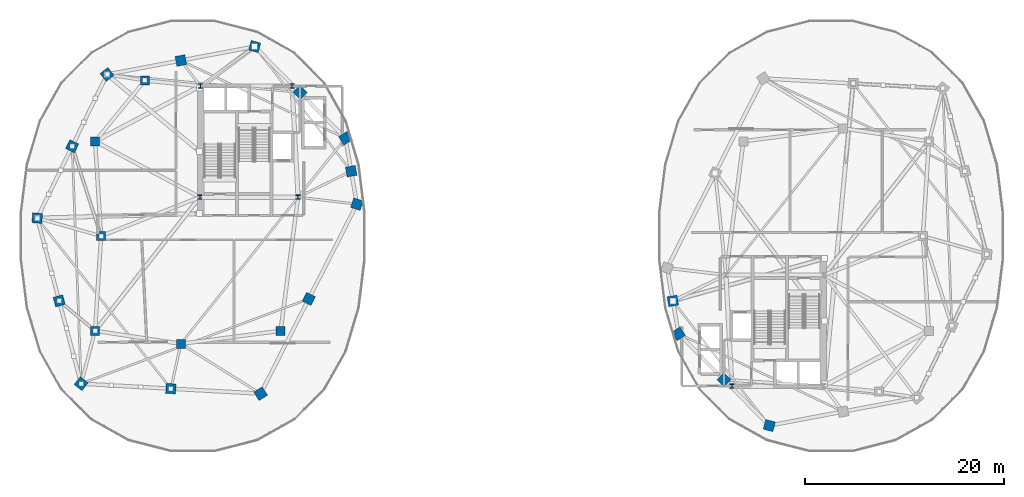
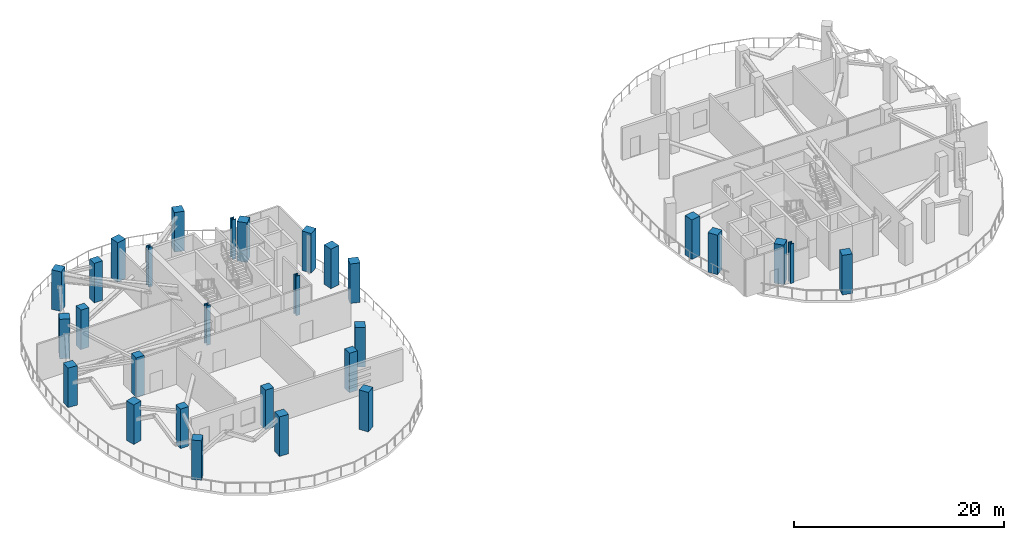
# One storey, part 1 of 14: 29 columns.
"""IFC4 building model written with IfcOpenShell, lengths in metres."""

from ifc_helpers import new_model, si_unit, direction, frame, origin, origin_2d, place, context, subcontext, project, spatial, rectangle, i_section, extrude, material, material_profile, profile_set, type_object, element, save


model = new_model("IFC4")

# Units and contexts
model_context = context("Model", 3, precision=1e-05, world=origin(), true_north=direction((0.0, 1.0)))
body_context = subcontext(model_context, "Body", "Model", "MODEL_VIEW")
ifc_project = project(units=[si_unit("LENGTHUNIT", "METRE"), si_unit("AREAUNIT", "SQUARE_METRE"), si_unit("VOLUMEUNIT", "CUBIC_METRE"), si_unit("PLANEANGLEUNIT", "RADIAN"), si_unit("MASSUNIT", "GRAM", prefix="KILO"), si_unit("THERMODYNAMICTEMPERATUREUNIT", "KELVIN"), si_unit("POWERUNIT", "WATT")], contexts=[model_context])

# Site, building, storey
site_placement = place(None, origin())
site = spatial("IfcSite", under=ifc_project, at=site_placement, CompositionType="ELEMENT")
building_placement = place(site_placement, origin())
building = spatial("IfcBuilding", under=site, at=building_placement, Name="Cundina Bronze Exchange", CompositionType="ELEMENT")
storey_placement = place(building_placement, frame((0.0, 0.0, 187.199951171875)))
storey = spatial("IfcBuildingStorey", under=building, at=storey_placement, Name="L49", CompositionType="ELEMENT", Elevation=187.199951171875)

# Columns
ifc_material_1 = material(Name="Steel ASTM A992 Grade 50", Category="steel")
ifc_material_profile_1 = material_profile(ifc_material_1, i_section(OverallWidth=0.416015625, OverallDepth=0.446044921875, WebThickness=0.0390625, FlangeThickness=0.062744140625, FilletRadius=0.01806640625, at=origin_2d()), Name="W14X342", Category="steel")
ifc_profile_set_1 = profile_set([ifc_material_profile_1], Name="Steel ASTM A992 Grade 50")
column_type_1 = type_object("IfcColumnType", Name="COL-STL-W14B", PredefinedType="COLUMN", material=ifc_profile_set_1)
for number, where, z_axis, x_axis, name in (
    (1, (-31.300048828125, 3.89990234375, 0.0), (0.0, 0.0, 1.0), (1.0, 0.0, 0.0), "L49 Core Anchor Column W1"),
    (2, (-21.449951171875, 3.89990234375, 0.0), (0.0, 0.0, 1.0), (1.0, 0.0, 0.0), "L49 Core Anchor Column W2"),
    (3, (-22.050048828125, 15.050048828125, 0.0), (0.0, 0.0, 1.0), (1.0, 0.0, 0.0), "L49 Core Anchor Column W3"),
    (4, (-31.25, 15.050048828125, 0.0), (0.0, 0.0, 1.0), (1.0, 0.0, 0.0), "L49 Core Anchor Column W4"),
    (5, (22.050048828125, -15.050048828125, 0.0), (0.0, 0.0, 1.0), (1.0, 0.0, 0.0), "L49 Core Anchor Column E3"),
):
    element("IfcColumn", number, at=place(storey_placement, frame(where, z_axis=z_axis, x_axis=x_axis)), inside=storey, type_object=column_type_1, Name=name, PredefinedType="COLUMN", context=body_context, shape_type="SweptSolid", body=[
        extrude(i_section(OverallWidth=0.416015625, OverallDepth=0.446044921875, WebThickness=0.0390625, FlangeThickness=0.062744140625, FilletRadius=0.01806640625, at=origin_2d()), origin(), (0.0, 0.0, 1.0), 4.60009765625),
    ])
ifc_material_2 = material(Name="Concrete C50/60", Category="concrete")
ifc_material_profile_2 = material_profile(ifc_material_2, rectangle(XDim=1.0, YDim=1.0, at=origin_2d()), Name="RC1000X1000", Category="concrete")
ifc_profile_set_2 = profile_set([ifc_material_profile_2], Name="Concrete C50/60")
column_type_2 = type_object("IfcColumnType", Name="COL-Z3-1000", PredefinedType="COLUMN", material=ifc_profile_set_2)
for number, where, z_axis, x_axis, name in (
    (6, (-15.550048828125, 3.199951171875, 0.0), (0.0, 0.0, 1.0), (0.315152163383, 0.949041155016, 0.0), "L49 W Perimeter Column 00"),
    (7, (-16.125, 6.5, 0.0), (0.0, 0.0, 1.0), (-0.171585221787, 0.985169280715, 0.0), "L49 W Perimeter Column 01"),
    (8, (-16.699951171875, 9.800048828125, 0.0), (0.0, 0.0, 1.0), (-0.544199833495, 0.838955625301, 0.0), "L49 W Perimeter Column 02"),
    (9, (-21.25, 14.39990234375, 0.0), (0.0, 0.0, 1.0), (-0.703270634186, 0.710922228581, 0.0), "L49 W Perimeter Column 03"),
    (10, (-25.800048828125, 19.0, 0.0), (0.0, 0.0, 1.0), (-0.965970984022, 0.258650455301, 0.0), "L49 W Perimeter Column 04"),
    (11, (-33.199951171875, 17.60009765625, 0.0), (0.0, 0.0, 1.0), (-0.98258037664, -0.185838110843, 0.0), "L49 W Perimeter Column 05"),
    (12, (-40.60009765625, 16.199951171875, 0.0), (0.0, 0.0, 1.0), (-0.785100778485, -0.619368038909, 0.0), "L49 W Perimeter Column 06"),
    (13, (-44.10009765625, 9.0, 0.0), (0.0, 0.0, 1.0), (-0.437115766651, -0.899405251566, 0.0), "L49 W Perimeter Column 07"),
    (14, (-47.60009765625, 1.800048828125, 0.0), (0.0, 0.0, 1.0), (-0.083503921245, -0.996507448611, 0.0), "L49 W Perimeter Column 08"),
    (15, (-45.39990234375, -6.5, 0.0), (0.0, 0.0, 1.0), (0.256289373133, -0.966600102017, 0.0), "L49 W Perimeter Column 09"),
    (16, (-43.199951171875, -14.800048828125, 0.0), (0.0, 0.0, 1.0), (0.786288432137, -0.61785961309, 0.0), "L49 W Perimeter Column 10"),
    (17, (-34.199951171875, -15.300048828125, 0.0), (0.0, 0.0, 1.0), (0.998460188734, -0.055472980025, 0.0), "L49 W Perimeter Column 11"),
    (18, (-25.199951171875, -15.800048828125, 0.0), (0.0, 0.0, 1.0), (0.838099763533, 0.545516989988, 0.0), "L49 W Perimeter Column 12"),
    (19, (-20.375, -6.300048828125, 0.0), (0.0, 0.0, 1.0), (0.452901591366, 0.891560513111, 0.0), "L49 W Perimeter Column 13"),
    (20, (16.125, -6.5, 0.0), (0.0, 0.0, 1.0), (0.171585221787, -0.985169280715, 0.0), "L49 E Perimeter Column 01"),
    (21, (16.699951171875, -9.800048828125, 0.0), (0.0, 0.0, 1.0), (0.544199833495, -0.838955625301, 0.0), "L49 E Perimeter Column 02"),
    (22, (21.25, -14.39990234375, 0.0), (0.0, 0.0, 1.0), (0.703270634186, -0.710922228581, 0.0), "L49 E Perimeter Column 03"),
    (23, (25.800048828125, -19.0, 0.0), (0.0, 0.0, 1.0), (0.965970984022, -0.258650455301, 0.0), "L49 E Perimeter Column 04"),
):
    element("IfcColumn", number, at=place(storey_placement, frame(where, z_axis=z_axis, x_axis=x_axis)), inside=storey, type_object=column_type_2, Name=name, PredefinedType="COLUMN", context=body_context, shape_type="SweptSolid", body=[
        extrude(rectangle(XDim=1.0, YDim=1.0, at=origin_2d()), origin(), (0.0, 0.0, 1.0), 4.60009765625),
    ])
ifc_material_profile_3 = material_profile(ifc_material_2, rectangle(XDim=0.89990234375, YDim=0.89990234375, at=origin_2d()), Name="RC900X900", Category="concrete")
ifc_profile_set_3 = profile_set([ifc_material_profile_3], Name="Concrete C50/60")
column_type_3 = type_object("IfcColumnType", Name="COL-Z4-900", PredefinedType="COLUMN", material=ifc_profile_set_3)
for number, where, z_axis, x_axis, name in (
    (24, (-41.199951171875, 0.0, 0.0), (0.0, 0.0, 1.0), (1.0, 0.0, 0.0), "L49 W Inner Ring Column 1"),
    (25, (-41.800048828125, 9.5, 0.0), (0.0, 0.0, 1.0), (1.0, 0.0, 0.0), "L49 W Inner Ring Column 2"),
    (26, (-36.800048828125, 15.60009765625, 0.0), (0.0, 0.0, 1.0), (1.0, 0.0, 0.0), "L49 W Inner Ring Column 3"),
    (27, (-41.800048828125, -9.5, 0.0), (0.0, 0.0, 1.0), (1.0, 0.0, 0.0), "L49 W Inner Ring Column 4"),
    (28, (-33.199951171875, -10.800048828125, 0.0), (0.0, 0.0, 1.0), (1.0, 0.0, 0.0), "L49 W Inner Ring Column 5"),
    (29, (-23.199951171875, -9.5, 0.0), (0.0, 0.0, 1.0), (1.0, 0.0, 0.0), "L49 W Inner Ring Column 6"),
):
    element("IfcColumn", number, at=place(storey_placement, frame(where, z_axis=z_axis, x_axis=x_axis)), inside=storey, type_object=column_type_3, Name=name, PredefinedType="COLUMN", context=body_context, shape_type="SweptSolid", body=[
        extrude(rectangle(XDim=0.89990234375, YDim=0.89990234375, at=origin_2d()), origin(), (0.0, 0.0, 1.0), 4.60009765625),
    ])

save(model, "model.ifc")
